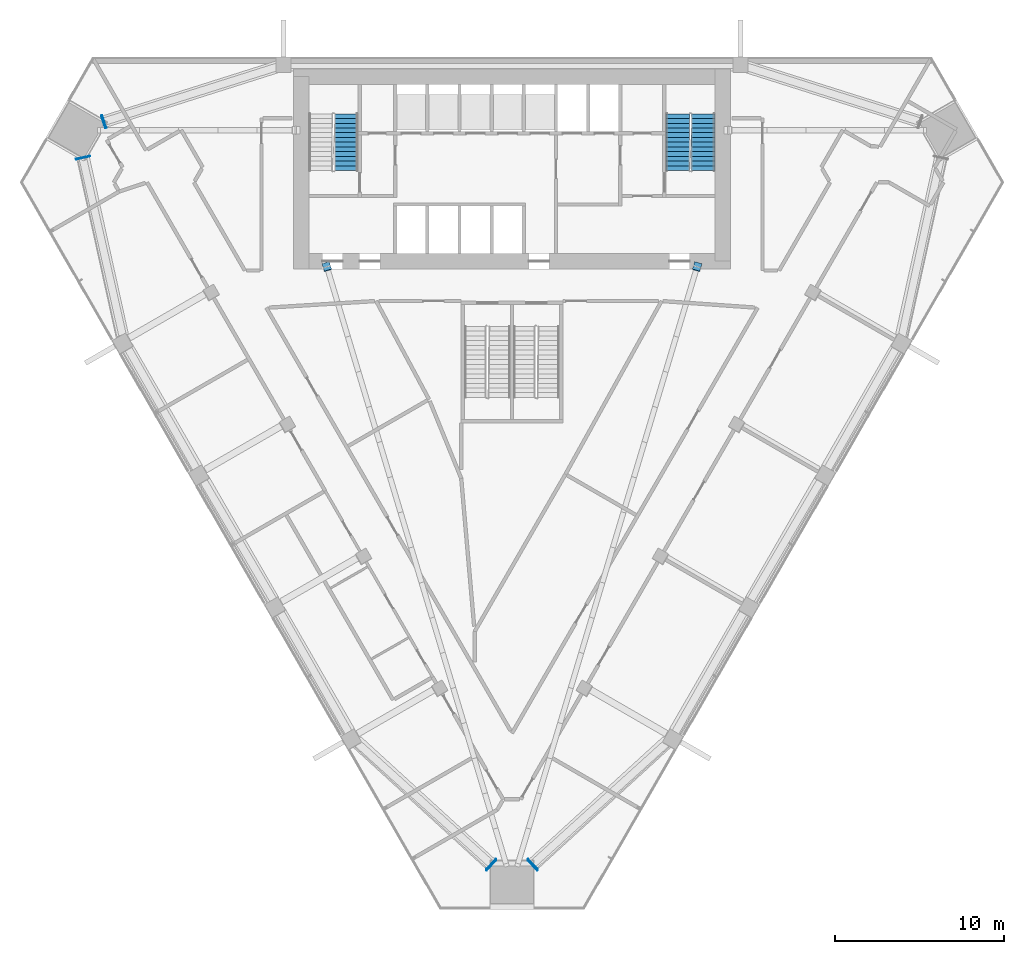
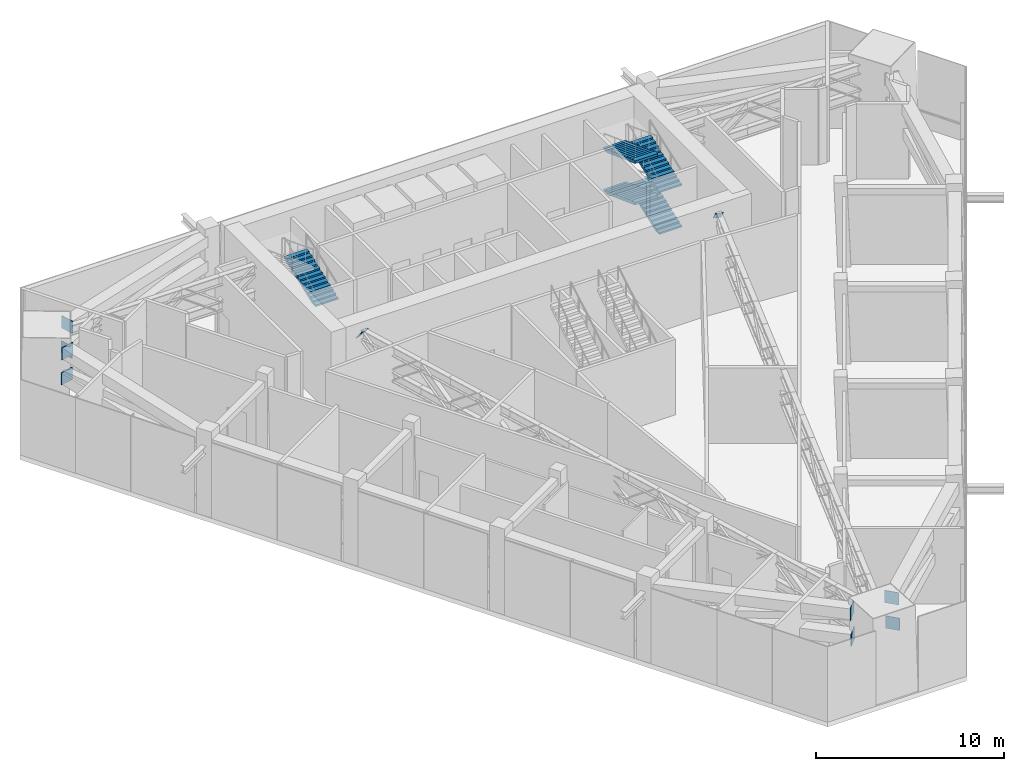
# One storey, part 12 of 15: 10 discrete accessories, 5 stair flights, 2 elements without a shape of their own.
"""IFC4 building model written with IfcOpenShell, lengths in metres."""

from ifc_helpers import new_model, si_unit, direction, frame, origin, origin_2d, place, context, subcontext, project, spatial, polyline, rectangle, outline, extrude, material, material_profile, profile_set, type_object, element, aggregate, save


model = new_model("IFC4")

# Units and contexts
model_context = context("Model", 3, precision=1e-05, world=origin(), true_north=direction((0.0, 1.0)))
body_context = subcontext(model_context, "Body", "Model", "MODEL_VIEW")
ifc_project = project(units=[si_unit("LENGTHUNIT", "METRE"), si_unit("AREAUNIT", "SQUARE_METRE"), si_unit("VOLUMEUNIT", "CUBIC_METRE"), si_unit("PLANEANGLEUNIT", "RADIAN"), si_unit("MASSUNIT", "GRAM", prefix="KILO")], contexts=[model_context])

# Site, building, storey
site_placement = place(None, origin())
site = spatial("IfcSite", under=ifc_project, at=site_placement, CompositionType="ELEMENT")
building_placement = place(site_placement, origin())
building = spatial("IfcBuilding", under=site, at=building_placement, Name="Altiplano Prism Tower", CompositionType="ELEMENT")
storey_placement = place(building_placement, frame((0.0, 0.0, 95.39990234375)))
storey = spatial("IfcBuildingStorey", under=building, at=storey_placement, Name="L24", CompositionType="ELEMENT", Elevation=95.39990234375)

# Stair, stair flight
ifc_material_1 = material(Name="Concrete C40/50", Category="concrete")
stair_type = type_object("IfcStairType", Name="Exit stair 1400", PredefinedType="HALF_TURN_STAIR", material=ifc_material_1)
stair_1_placement = place(storey_placement, origin())
stair_1 = element("IfcStair", 1, at=stair_1_placement, inside=storey, type_object=stair_type, Name="L24 Exit Stair 1", PredefinedType="HALF_TURN_STAIR")
stair_flight_type = type_object("IfcStairFlightType", Name="Stair flight concrete 150", PredefinedType="STRAIGHT", material=ifc_material_1)
stair_flight_1_placement = place(storey_placement, frame((75.199951171875, 98.300048828125, 2.7001953125), z_axis=(0.0, 0.0, 1.0), x_axis=(0.0, 1.0, 0.0)))
stair_flight_1 = element("IfcStairFlight", 2, at=stair_flight_1_placement, type_object=stair_flight_type, Name="ST1 flight 3", NumberOfRisers=13, NumberOfTreads=12, PredefinedType="STRAIGHT", RiserHeight=0.103846154, TreadLength=0.28, context=body_context, shape_type="SweptSolid", body=[
    extrude(outline(polyline([(0.0, 0.0), (0.0, 0.103759765625), (0.280029296875, 0.103759765625), (0.280029296875, 0.207763671875), (0.56005859375, 0.207763671875), (0.56005859375, 0.3115234375), (0.840087890625, 0.3115234375), (0.840087890625, 0.415283203125), (1.1201171875, 0.415283203125), (1.1201171875, 0.519287109375), (1.39990234375, 0.519287109375), (1.39990234375, 0.623046875), (1.679931640625, 0.623046875), (1.679931640625, 0.726806640625), (1.9599609375, 0.726806640625), (1.9599609375, 0.830810546875), (2.239990234375, 0.830810546875), (2.239990234375, 0.9345703125), (2.52001953125, 0.9345703125), (2.52001953125, 1.03857421875), (2.800048828125, 1.03857421875), (2.800048828125, 1.142333984375), (3.080078125, 1.142333984375), (3.080078125, 1.24609375), (3.360107421875, 1.24609375), (3.360107421875, 1.35009765625), (3.360107421875, 1.086181640625), (0.43115234375, 0.0), (0.0, 0.0)])), frame((0.0, 0.699951171875, 0.0), z_axis=(0.0, -1.0, 0.0), x_axis=(1.0, 0.0, 0.0)), (0.0, 0.0, 1.0), 1.39990234375),
])
aggregate(stair_1, [stair_flight_1])

# Stair, stair flights
stair_2_placement = place(storey_placement, origin())
stair_2 = element("IfcStair", 3, at=stair_2_placement, inside=storey, type_object=stair_type, Name="L24 Exit Stair 2", PredefinedType="HALF_TURN_STAIR")
stair_flight_2_placement = place(storey_placement, frame((96.300048828125, 98.300048828125, 0.0), z_axis=(0.0, 0.0, 1.0), x_axis=(0.0, 1.0, 0.0)))
stair_flight_2 = element("IfcStairFlight", 4, at=stair_flight_2_placement, type_object=stair_flight_type, Name="ST2 flight 1", NumberOfRisers=13, NumberOfTreads=12, PredefinedType="STRAIGHT", RiserHeight=0.103846154, TreadLength=0.28, context=body_context, shape_type="SweptSolid", body=[
    extrude(outline(polyline([(0.0, 0.0), (0.0, 0.103759765625), (0.280029296875, 0.103759765625), (0.280029296875, 0.207763671875), (0.56005859375, 0.207763671875), (0.56005859375, 0.3115234375), (0.840087890625, 0.3115234375), (0.840087890625, 0.415283203125), (1.1201171875, 0.415283203125), (1.1201171875, 0.519287109375), (1.39990234375, 0.519287109375), (1.39990234375, 0.623046875), (1.679931640625, 0.623046875), (1.679931640625, 0.726806640625), (1.9599609375, 0.726806640625), (1.9599609375, 0.830810546875), (2.239990234375, 0.830810546875), (2.239990234375, 0.9345703125), (2.52001953125, 0.9345703125), (2.52001953125, 1.03857421875), (2.800048828125, 1.03857421875), (2.800048828125, 1.142333984375), (3.080078125, 1.142333984375), (3.080078125, 1.24609375), (3.360107421875, 1.24609375), (3.360107421875, 1.35009765625), (3.360107421875, 1.086181640625), (0.43115234375, 0.0), (0.0, 0.0)])), frame((0.0, 0.699951171875, 0.0), z_axis=(0.0, -1.0, 0.0), x_axis=(1.0, 0.0, 0.0)), (0.0, 0.0, 1.0), 1.39990234375),
])
stair_flight_3_placement = place(storey_placement, frame((94.800048828125, 101.659912109375, 1.35009765625), z_axis=(0.0, 0.0, 1.0), x_axis=(0.0, -1.0, 0.0)))
stair_flight_3 = element("IfcStairFlight", 5, at=stair_flight_3_placement, type_object=stair_flight_type, Name="ST2 flight 2", NumberOfRisers=13, NumberOfTreads=12, PredefinedType="STRAIGHT", RiserHeight=0.103846154, TreadLength=0.28, context=body_context, shape_type="SweptSolid", body=[
    extrude(outline(polyline([(0.0, 0.0), (0.0, 0.103759765625), (0.280029296875, 0.103759765625), (0.280029296875, 0.207763671875), (0.56005859375, 0.207763671875), (0.56005859375, 0.3115234375), (0.840087890625, 0.3115234375), (0.840087890625, 0.415283203125), (1.1201171875, 0.415283203125), (1.1201171875, 0.519287109375), (1.39990234375, 0.519287109375), (1.39990234375, 0.623046875), (1.679931640625, 0.623046875), (1.679931640625, 0.726806640625), (1.9599609375, 0.726806640625), (1.9599609375, 0.830810546875), (2.239990234375, 0.830810546875), (2.239990234375, 0.9345703125), (2.52001953125, 0.9345703125), (2.52001953125, 1.03857421875), (2.800048828125, 1.03857421875), (2.800048828125, 1.142333984375), (3.080078125, 1.142333984375), (3.080078125, 1.24609375), (3.360107421875, 1.24609375), (3.360107421875, 1.35009765625), (3.360107421875, 1.086181640625), (0.43115234375, 0.0), (0.0, 0.0)])), frame((0.0, 0.699951171875, 0.0), z_axis=(0.0, -1.0, 0.0), x_axis=(1.0, 0.0, 0.0)), (0.0, 0.0, 1.0), 1.39990234375),
])
stair_flight_4_placement = place(storey_placement, frame((96.300048828125, 98.300048828125, 2.7001953125), z_axis=(0.0, 0.0, 1.0), x_axis=(0.0, 1.0, 0.0)))
stair_flight_4 = element("IfcStairFlight", 6, at=stair_flight_4_placement, type_object=stair_flight_type, Name="ST2 flight 3", NumberOfRisers=13, NumberOfTreads=12, PredefinedType="STRAIGHT", RiserHeight=0.103846154, TreadLength=0.28, context=body_context, shape_type="SweptSolid", body=[
    extrude(outline(polyline([(0.0, 0.0), (0.0, 0.103759765625), (0.280029296875, 0.103759765625), (0.280029296875, 0.207763671875), (0.56005859375, 0.207763671875), (0.56005859375, 0.3115234375), (0.840087890625, 0.3115234375), (0.840087890625, 0.415283203125), (1.1201171875, 0.415283203125), (1.1201171875, 0.519287109375), (1.39990234375, 0.519287109375), (1.39990234375, 0.623046875), (1.679931640625, 0.623046875), (1.679931640625, 0.726806640625), (1.9599609375, 0.726806640625), (1.9599609375, 0.830810546875), (2.239990234375, 0.830810546875), (2.239990234375, 0.9345703125), (2.52001953125, 0.9345703125), (2.52001953125, 1.03857421875), (2.800048828125, 1.03857421875), (2.800048828125, 1.142333984375), (3.080078125, 1.142333984375), (3.080078125, 1.24609375), (3.360107421875, 1.24609375), (3.360107421875, 1.35009765625), (3.360107421875, 1.086181640625), (0.43115234375, 0.0), (0.0, 0.0)])), frame((0.0, 0.699951171875, 0.0), z_axis=(0.0, -1.0, 0.0), x_axis=(1.0, 0.0, 0.0)), (0.0, 0.0, 1.0), 1.39990234375),
])
stair_flight_5_placement = place(storey_placement, frame((94.800048828125, 101.659912109375, 4.050048828125), z_axis=(0.0, 0.0, 1.0), x_axis=(0.0, -1.0, 0.0)))
stair_flight_5 = element("IfcStairFlight", 7, at=stair_flight_5_placement, type_object=stair_flight_type, Name="ST2 flight 4", NumberOfRisers=13, NumberOfTreads=12, PredefinedType="STRAIGHT", RiserHeight=0.103846154, TreadLength=0.28, context=body_context, shape_type="SweptSolid", body=[
    extrude(outline(polyline([(0.0, 0.0), (0.0, 0.103759765625), (0.280029296875, 0.103759765625), (0.280029296875, 0.207763671875), (0.56005859375, 0.207763671875), (0.56005859375, 0.3115234375), (0.840087890625, 0.3115234375), (0.840087890625, 0.415283203125), (1.1201171875, 0.415283203125), (1.1201171875, 0.519287109375), (1.39990234375, 0.519287109375), (1.39990234375, 0.623046875), (1.679931640625, 0.623046875), (1.679931640625, 0.726806640625), (1.9599609375, 0.726806640625), (1.9599609375, 0.830810546875), (2.239990234375, 0.830810546875), (2.239990234375, 0.9345703125), (2.52001953125, 0.9345703125), (2.52001953125, 1.03857421875), (2.800048828125, 1.03857421875), (2.800048828125, 1.142333984375), (3.080078125, 1.142333984375), (3.080078125, 1.24609375), (3.360107421875, 1.24609375), (3.360107421875, 1.35009765625), (3.360107421875, 1.086181640625), (0.43115234375, 0.0), (0.0, 0.0)])), frame((0.0, 0.699951171875, 0.0), z_axis=(0.0, -1.0, 0.0), x_axis=(1.0, 0.0, 0.0)), (0.0, 0.0, 1.0), 1.39990234375),
])
aggregate(stair_2, [stair_flight_2, stair_flight_3, stair_flight_4, stair_flight_5])

# Discrete accessories
ifc_material_2 = material(Name="Steel S355", Category="steel")
ifc_material_profile_1 = material_profile(ifc_material_2, rectangle(XDim=0.449951171875, YDim=0.75, at=origin_2d()), Name="Cast-in plate 450x750x40")
ifc_profile_set_1 = profile_set([ifc_material_profile_1], Name="Steel S355")
discrete_accessory_type_1 = type_object("IfcDiscreteAccessoryType", Name="Cast-in plate 450x750x40", PredefinedType="ANCHORPLATE", material=ifc_profile_set_1)
for number, where, z_axis, x_axis, name in (
    (8, (74.056884765625, 92.6435546875, 4.590087890625), (0.226245746441, -0.758228988073, -0.611474990382), (0.958250620671, 0.285929620684, 0.0), "Cast-in plate Outrigger truss R1 3 diagonal 17 end 2"),
    (9, (95.943115234375, 92.6435546875, 4.590087890625), (-0.226245746441, -0.758228988073, -0.611474990382), (0.958250620671, -0.285929620684, 0.0), "Cast-in plate Outrigger truss R1 4 diagonal 17 end 2"),
):
    element("IfcDiscreteAccessory", number, at=place(storey_placement, frame(where, z_axis=z_axis, x_axis=x_axis)), inside=storey, type_object=discrete_accessory_type_1, Name=name, PredefinedType="ANCHORPLATE", context=body_context, shape_type="SweptSolid", body=[
        extrude(rectangle(XDim=0.449951171875, YDim=0.75, at=origin_2d()), origin(), (0.0, 0.0, 1.0), 0.0400390625),
    ])
ifc_material_profile_2 = material_profile(ifc_material_2, rectangle(XDim=0.800048828125, YDim=0.800048828125, at=origin_2d()), Name="Truss end plate 800x800x40")
ifc_profile_set_2 = profile_set([ifc_material_profile_2], Name="Steel S355")
discrete_accessory_type_2 = type_object("IfcDiscreteAccessoryType", Name="Truss end plate 800x800x40", PredefinedType="ANCHORPLATE", material=ifc_profile_set_2)
for number, where, z_axis, x_axis, name in (
    (10, (60.843994140625, 101.17578125, 2.9501953125), (0.952282288042, 0.305218682065, 0.0), (-0.305218682065, 0.952282288042, 0.0), "Truss end plate Belt truss R1 chord b4 end 2"),
    (11, (60.889404296875, 101.190673828125, 4.550048828125), (0.954588103487, 0.297928771152, 0.0), (-0.297928771152, 0.954588103487, 0.0), "Truss end plate Belt truss R1 chord t4 end 2"),
    (12, (59.632568359375, 99.07763671875, 2.9501953125), (0.213696878805, -0.976900017396, 0.0), (0.976900017396, 0.213696878805, 0.0), "Truss end plate Belt truss R1 chord b5 end 1"),
    (13, (59.67822265625, 99.092529296875, 4.550048828125), (0.213696878805, -0.976900017396, 0.0), (0.976900017396, 0.213696878805, 0.0), "Truss end plate Belt truss R1 chord t5 end 1"),
    (14, (83.78857421875, 57.23828125, 2.9501953125), (-0.736901292288, 0.676000359041, 0.0), (-0.676000359041, -0.736901292288, 0.0), "Truss end plate Belt truss R1 chord b9 end 2"),
    (15, (83.78857421875, 57.331787109375, 4.550048828125), (-0.736901292288, 0.676000359041, 0.0), (-0.676000359041, -0.736901292288, 0.0), "Truss end plate Belt truss R1 chord t9 end 2"),
    (16, (86.21142578125, 57.23828125, 2.9501953125), (0.736901292288, 0.676000359041, 0.0), (-0.676000359041, 0.736901292288, 0.0), "Truss end plate Belt truss R1 chord b10 end 1"),
    (17, (86.21142578125, 57.331787109375, 4.550048828125), (0.736901292288, 0.676000359041, 0.0), (-0.676000359041, 0.736901292288, 0.0), "Truss end plate Belt truss R1 chord t10 end 1"),
):
    element("IfcDiscreteAccessory", number, at=place(storey_placement, frame(where, z_axis=z_axis, x_axis=x_axis)), inside=storey, type_object=discrete_accessory_type_2, Name=name, PredefinedType="ANCHORPLATE", context=body_context, shape_type="SweptSolid", body=[
        extrude(rectangle(XDim=0.800048828125, YDim=0.800048828125, at=origin_2d()), origin(), (0.0, 0.0, 1.0), 0.0400390625),
    ])

save(model, "model.ifc")
